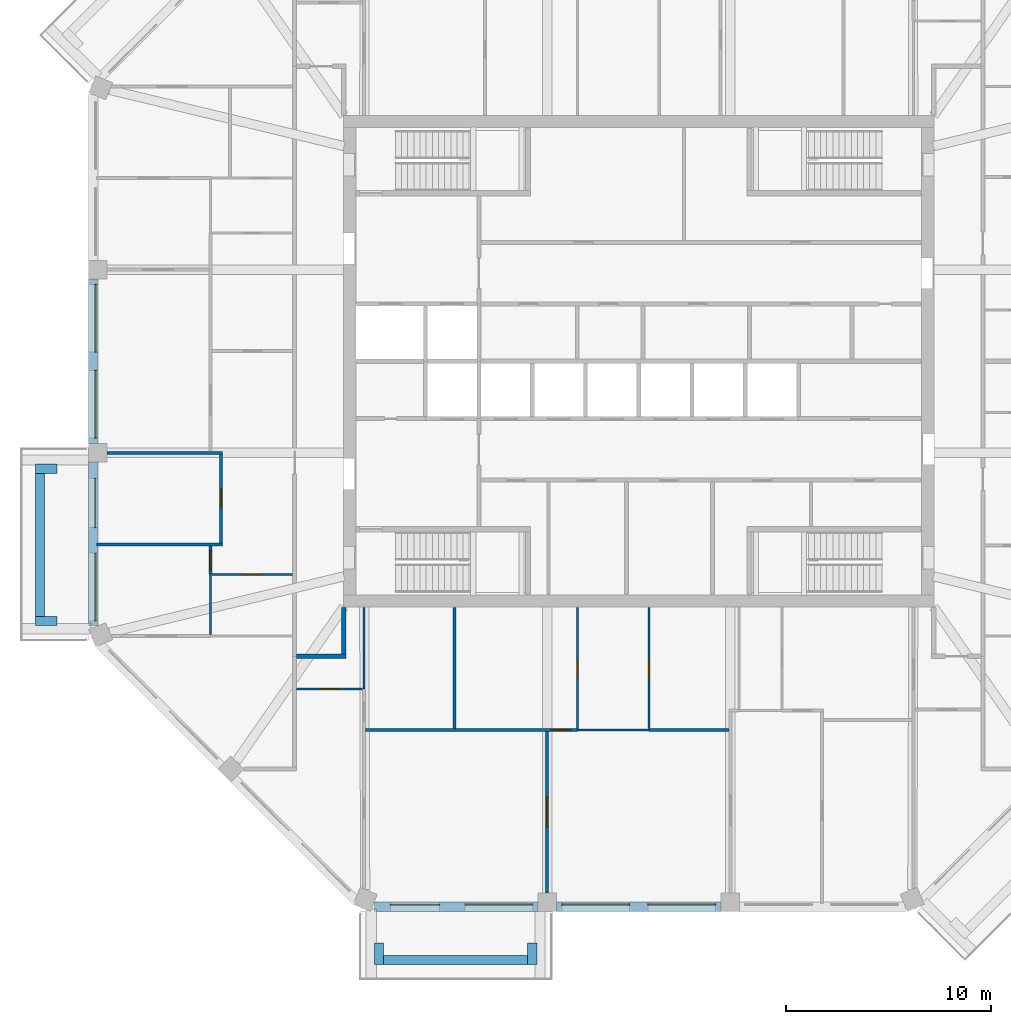
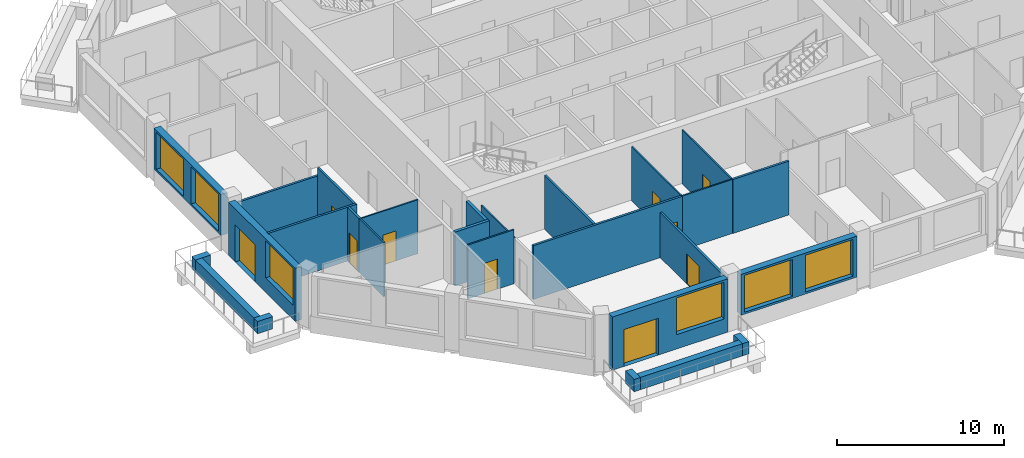
# One storey, part 3 of 11: 27 walls, 10 doors, 6 windows, 16 openings.
"""IFC4 building model written with IfcOpenShell, lengths in metres."""

from ifc_helpers import new_model, si_unit, direction, frame, frame_2d, origin, place, context, subcontext, project, spatial, rectangle, extrude, material, layer, layer_set, type_object, element, fill, save


model = new_model("IFC4")

# Units and contexts
model_context = context("Model", 3, precision=1e-05, world=origin(), true_north=direction((0.0, 1.0)))
body_context = subcontext(model_context, "Body", "Model", "MODEL_VIEW")
ifc_project = project(units=[si_unit("LENGTHUNIT", "METRE"), si_unit("AREAUNIT", "SQUARE_METRE"), si_unit("VOLUMEUNIT", "CUBIC_METRE"), si_unit("PLANEANGLEUNIT", "RADIAN"), si_unit("MASSUNIT", "GRAM", prefix="KILO")], contexts=[model_context])

# Site, building, storey
site_placement = place(None, origin())
site = spatial("IfcSite", under=ifc_project, at=site_placement, CompositionType="ELEMENT")
building_placement = place(site_placement, origin())
building = spatial("IfcBuilding", under=site, at=building_placement, Name="Msitu Wima Residences", CompositionType="ELEMENT")
storey_placement = place(building_placement, frame((0.0, 0.0, 260.10009765625)))
storey = spatial("IfcBuildingStorey", under=building, at=storey_placement, Name="L60", CompositionType="ELEMENT", Elevation=260.10009765625)

# Walls
ifc_material_1 = material(Name="Facing brick")
ifc_layer_1 = layer(ifc_material_1, 0.06494140625, Name="Facing brick")
ifc_material_2 = material(Name="Concrete C40/50", Category="concrete")
ifc_layer_2 = layer(ifc_material_2, 0.156005859375, Name="Concrete C40/50")
ifc_material_3 = material(Name="Waterproofing membrane")
ifc_layer_3 = layer(ifc_material_3, 0.00390625, Name="Waterproofing membrane")
ifc_material_4 = material(Name="Planting soil and planting")
ifc_layer_4 = layer(ifc_material_4, 0.22509765625, Name="Planting soil and planting")
ifc_layer_set_1 = layer_set([ifc_layer_1, ifc_layer_2, ifc_layer_3, ifc_layer_4], Name="Concrete C40/50")
wall_type_1 = type_object("IfcWallType", Name="Balcony planter PLANTER PL450", PredefinedType="USERDEFINED", material=ifc_layer_set_1)
wall_1_placement = place(storey_placement, frame((-29.22509765625, -5.468505859375, 0.0), z_axis=(0.0, 0.0, 1.0), x_axis=(0.0, -1.0, 0.0)))
element("IfcWall", 1, at=wall_1_placement, inside=storey, type_object=wall_type_1, Name="Balcony planter W2 L60", ObjectType="PLANTER", PredefinedType="USERDEFINED", context=body_context, shape_type="SweptSolid", body=[
    extrude(rectangle(XDim=6.9873046875, YDim=0.449951171875, at=frame_2d((3.49365234375, 0.0))), origin(), (0.0, 0.0, 1.0), 0.89990234375),
])
for number, where, z_axis, x_axis, name in (
    (2, (-28.39990234375, -5.24365234375, 0.0), (0.0, 0.0, 1.0), (-1.0, 0.0, 0.0), "Balcony planter W2 L60"),
    (3, (-28.39990234375, -12.680908203125, 0.0), (0.0, 0.0, 1.0), (-1.0, 0.0, 0.0), "Balcony planter W2 L60"),
):
    element("IfcWall", number, at=place(storey_placement, frame(where, z_axis=z_axis, x_axis=x_axis)), inside=storey, type_object=wall_type_1, Name=name, ObjectType="PLANTER", PredefinedType="USERDEFINED", context=body_context, shape_type="SweptSolid", body=[
        extrude(rectangle(XDim=1.050048828125, YDim=0.449951171875, at=frame_2d((0.52490234375, 0.0))), origin(), (0.0, 0.0, 1.0), 0.89990234375),
    ])
wall_2_placement = place(storey_placement, frame((-12.455810546875, -29.22509765625, 0.0), z_axis=(0.0, 0.0, 1.0), x_axis=(1.0, 0.0, 0.0)))
element("IfcWall", 4, at=wall_2_placement, inside=storey, type_object=wall_type_1, Name="Balcony planter S0 L60", ObjectType="PLANTER", PredefinedType="USERDEFINED", context=body_context, shape_type="SweptSolid", body=[
    extrude(rectangle(XDim=7.037109375, YDim=0.449951171875, at=frame_2d((3.5185546875, 0.0))), origin(), (0.0, 0.0, 1.0), 0.89990234375),
])
for number, where, z_axis, x_axis, name in (
    (5, (-12.680908203125, -28.39990234375, 0.0), (0.0, 0.0, 1.0), (0.0, -1.0, 0.0), "Balcony planter S0 L60"),
    (6, (-5.193603515625, -28.39990234375, 0.0), (0.0, 0.0, 1.0), (0.0, -1.0, 0.0), "Balcony planter S0 L60"),
):
    element("IfcWall", number, at=place(storey_placement, frame(where, z_axis=z_axis, x_axis=x_axis)), inside=storey, type_object=wall_type_1, Name=name, ObjectType="PLANTER", PredefinedType="USERDEFINED", context=body_context, shape_type="SweptSolid", body=[
        extrude(rectangle(XDim=1.050048828125, YDim=0.449951171875, at=frame_2d((0.52490234375, 0.0))), origin(), (0.0, 0.0, 1.0), 0.89990234375),
    ])

# Wall, openings, windows
ifc_material_5 = material(Name="Brick (red buff mix)", Category="masonry")
ifc_layer_5 = layer(ifc_material_5, 0.449951171875)
ifc_layer_set_2 = layer_set([ifc_layer_5], Name="Brick (red buff mix)")
wall_type_2 = type_object("IfcWallType", Name="Brick infill wall BW450", PredefinedType="SOLIDWALL", material=ifc_layer_set_2)
wall_3_placement = place(storey_placement, frame((-26.625, 4.0185546875, 0.89990234375), z_axis=(0.0, 0.0, 1.0), x_axis=(0.0, -1.0, 0.0)))
wall_3 = element("IfcWall", 7, at=wall_3_placement, inside=storey, type_object=wall_type_2, Name="Brick infill wall L60 W1", PredefinedType="SOLIDWALL", context=body_context, shape_type="SweptSolid", body=[
    extrude(rectangle(XDim=8.037109375, YDim=0.449951171875, at=frame_2d((4.0185546875, 0.0))), origin(), (0.0, 0.0, 1.0), 3.0),
])
opening_1_placement = place(wall_3_placement, frame((0.2685546875, 0.0, 0.14990234375)))
opening_1 = element("IfcOpeningElement", 8, at=opening_1_placement, cuts=wall_3, Name="Opening W60-62.031", PredefinedType="OPENING", context=body_context, shape_type="SweptSolid", body=[
    extrude(rectangle(XDim=3.300048828125, YDim=2.699951171875, at=frame_2d((1.64990234375, 1.35009765625))), frame((0.0, 0.23486328125, 0.0), z_axis=(0.0, -1.0, 0.0), x_axis=(1.0, 0.0, 0.0)), (0.0, 0.0, 1.0), 0.469970703125),
])
opening_2_placement = place(wall_3_placement, frame((4.46875, 0.0, 0.14990234375)))
opening_2 = element("IfcOpeningElement", 9, at=opening_2_placement, cuts=wall_3, Name="Opening W60-62.032", PredefinedType="OPENING", context=body_context, shape_type="SweptSolid", body=[
    extrude(rectangle(XDim=3.300048828125, YDim=2.699951171875, at=frame_2d((1.64990234375, 1.35009765625))), frame((0.0, 0.23486328125, 0.0), z_axis=(0.0, -1.0, 0.0), x_axis=(1.0, 0.0, 0.0)), (0.0, 0.0, 1.0), 0.469970703125),
])
ifc_material_6 = material(Name="Anodised aluminium, bronze finish, clear low-emissivity double glazing", Category="aluminium")
window_type = type_object("IfcWindowType", Name="Window W3300x2700", PartitioningType="DOUBLE_PANEL_VERTICAL", PredefinedType="WINDOW", material=ifc_material_6)
window_1_placement = place(opening_1_placement, origin())
window_1 = element("IfcWindow", 10, at=window_1_placement, inside=storey, type_object=window_type, Name="Window L60 W1.1", OverallHeight=2.699951171875, OverallWidth=3.300048828125, PartitioningType="SINGLE_PANEL", PredefinedType="WINDOW", context=body_context, shape_type="SweptSolid", body=[
    extrude(rectangle(XDim=3.300048828125, YDim=2.699951171875, at=frame_2d((1.64990234375, 1.35009765625))), frame((0.0, 0.135009765625, 0.0), z_axis=(0.0, -1.0, 0.0), x_axis=(1.0, 0.0, 0.0)), (0.0, 0.0, 1.0), 0.06005859375),
])
fill(opening_1, window_1)
window_2_placement = place(opening_2_placement, origin())
window_2 = element("IfcWindow", 11, at=window_2_placement, inside=storey, type_object=window_type, Name="Window L60 W1.2", OverallHeight=2.699951171875, OverallWidth=3.300048828125, PartitioningType="SINGLE_PANEL", PredefinedType="WINDOW", context=body_context, shape_type="SweptSolid", body=[
    extrude(rectangle(XDim=3.300048828125, YDim=2.699951171875, at=frame_2d((1.64990234375, 1.35009765625))), frame((0.0, 0.135009765625, 0.0), z_axis=(0.0, -1.0, 0.0), x_axis=(1.0, 0.0, 0.0)), (0.0, 0.0, 1.0), 0.06005859375),
])
fill(opening_2, window_2)

# Wall, openings, door, window
wall_4_placement = place(storey_placement, frame((-26.625, -4.918701171875, 0.0), z_axis=(0.0, 0.0, 1.0), x_axis=(0.0, -1.0, 0.0)))
wall_4 = element("IfcWall", 12, at=wall_4_placement, inside=storey, type_object=wall_type_2, Name="Brick infill wall L60 W2", PredefinedType="SOLIDWALL", context=body_context, shape_type="SweptSolid", body=[
    extrude(rectangle(XDim=8.0, YDim=0.449951171875, at=frame_2d((4.0, 0.0))), origin(), (0.0, 0.0, 1.0), 3.89990234375),
])
opening_3_placement = place(wall_4_placement, frame((0.800048828125, 0.0, 0.0)))
opening_3 = element("IfcOpeningElement", 13, at=opening_3_placement, cuts=wall_4, Name="Opening D60-62.007", PredefinedType="OPENING", context=body_context, shape_type="SweptSolid", body=[
    extrude(rectangle(XDim=2.39990234375, YDim=2.699951171875, at=frame_2d((1.199951171875, 1.35009765625))), frame((0.0, 0.23486328125, 0.0), z_axis=(0.0, -1.0, 0.0), x_axis=(1.0, 0.0, 0.0)), (0.0, 0.0, 1.0), 0.469970703125),
])
opening_4_placement = place(wall_4_placement, frame((4.4501953125, 0.0, 1.050048828125)))
opening_4 = element("IfcOpeningElement", 14, at=opening_4_placement, cuts=wall_4, Name="Opening W60-62.033", PredefinedType="OPENING", context=body_context, shape_type="SweptSolid", body=[
    extrude(rectangle(XDim=3.300048828125, YDim=2.699951171875, at=frame_2d((1.64990234375, 1.35009765625))), frame((0.0, 0.23486328125, 0.0), z_axis=(0.0, -1.0, 0.0), x_axis=(1.0, 0.0, 0.0)), (0.0, 0.0, 1.0), 0.469970703125),
])
door_type_1 = type_object("IfcDoorType", Name="Balcony door D2400x2700", OperationType="SLIDING_TO_LEFT", PredefinedType="DOOR", material=ifc_material_6)
door_1_placement = place(opening_3_placement, origin())
door_1 = element("IfcDoor", 15, at=door_1_placement, inside=storey, type_object=door_type_1, Name="Balcony door L60 W2", OperationType="SINGLE_SWING_LEFT", OverallHeight=2.699951171875, OverallWidth=2.39990234375, PredefinedType="DOOR", context=body_context, shape_type="SweptSolid", body=[
    extrude(rectangle(XDim=2.39990234375, YDim=2.699951171875, at=frame_2d((1.199951171875, 1.35009765625))), frame((0.0, 0.1298828125, 0.0), z_axis=(0.0, -1.0, 0.0), x_axis=(1.0, 0.0, 0.0)), (0.0, 0.0, 1.0), 0.050048828125),
])
fill(opening_3, door_1)
window_3_placement = place(opening_4_placement, origin())
window_3 = element("IfcWindow", 16, at=window_3_placement, inside=storey, type_object=window_type, Name="Window L60 W2.2", OverallHeight=2.699951171875, OverallWidth=3.300048828125, PartitioningType="SINGLE_PANEL", PredefinedType="WINDOW", context=body_context, shape_type="SweptSolid", body=[
    extrude(rectangle(XDim=3.300048828125, YDim=2.699951171875, at=frame_2d((1.64990234375, 1.35009765625))), frame((0.0, 0.135009765625, 0.0), z_axis=(0.0, -1.0, 0.0), x_axis=(1.0, 0.0, 0.0)), (0.0, 0.0, 1.0), 0.06005859375),
])
fill(opening_4, window_3)

wall_5_placement = place(storey_placement, frame((-12.918701171875, -26.625, 0.0), z_axis=(0.0, 0.0, 1.0), x_axis=(1.0, 0.0, 0.0)))
wall_5 = element("IfcWall", 17, at=wall_5_placement, inside=storey, type_object=wall_type_2, Name="Brick infill wall L60 S0", PredefinedType="SOLIDWALL", context=body_context, shape_type="SweptSolid", body=[
    extrude(rectangle(XDim=8.0, YDim=0.449951171875, at=frame_2d((4.0, 0.0))), origin(), (0.0, 0.0, 1.0), 3.89990234375),
])
opening_5_placement = place(wall_5_placement, frame((0.800048828125, 0.0, 0.0)))
opening_5 = element("IfcOpeningElement", 18, at=opening_5_placement, cuts=wall_5, Name="Opening D60-62.005", PredefinedType="OPENING", context=body_context, shape_type="SweptSolid", body=[
    extrude(rectangle(XDim=2.39990234375, YDim=2.699951171875, at=frame_2d((1.199951171875, 1.35009765625))), frame((0.0, 0.23486328125, 0.0), z_axis=(0.0, -1.0, 0.0), x_axis=(1.0, 0.0, 0.0)), (0.0, 0.0, 1.0), 0.469970703125),
])
opening_6_placement = place(wall_5_placement, frame((4.4501953125, 0.0, 1.050048828125)))
opening_6 = element("IfcOpeningElement", 19, at=opening_6_placement, cuts=wall_5, Name="Opening W60-62.017", PredefinedType="OPENING", context=body_context, shape_type="SweptSolid", body=[
    extrude(rectangle(XDim=3.300048828125, YDim=2.699951171875, at=frame_2d((1.64990234375, 1.35009765625))), frame((0.0, 0.23486328125, 0.0), z_axis=(0.0, -1.0, 0.0), x_axis=(1.0, 0.0, 0.0)), (0.0, 0.0, 1.0), 0.469970703125),
])
door_2_placement = place(opening_5_placement, origin())
door_2 = element("IfcDoor", 20, at=door_2_placement, inside=storey, type_object=door_type_1, Name="Balcony door L60 S0", OperationType="SINGLE_SWING_LEFT", OverallHeight=2.699951171875, OverallWidth=2.39990234375, PredefinedType="DOOR", context=body_context, shape_type="SweptSolid", body=[
    extrude(rectangle(XDim=2.39990234375, YDim=2.699951171875, at=frame_2d((1.199951171875, 1.35009765625))), frame((0.0, 0.1298828125, 0.0), z_axis=(0.0, -1.0, 0.0), x_axis=(1.0, 0.0, 0.0)), (0.0, 0.0, 1.0), 0.050048828125),
])
fill(opening_5, door_2)
window_4_placement = place(opening_6_placement, origin())
window_4 = element("IfcWindow", 21, at=window_4_placement, inside=storey, type_object=window_type, Name="Window L60 S0.2", OverallHeight=2.699951171875, OverallWidth=3.300048828125, PartitioningType="SINGLE_PANEL", PredefinedType="WINDOW", context=body_context, shape_type="SweptSolid", body=[
    extrude(rectangle(XDim=3.300048828125, YDim=2.699951171875, at=frame_2d((1.64990234375, 1.35009765625))), frame((0.0, 0.135009765625, 0.0), z_axis=(0.0, -1.0, 0.0), x_axis=(1.0, 0.0, 0.0)), (0.0, 0.0, 1.0), 0.06005859375),
])
fill(opening_6, window_4)

# Wall, openings, windows
wall_6_placement = place(storey_placement, frame((-4.0185546875, -26.625, 0.89990234375), z_axis=(0.0, 0.0, 1.0), x_axis=(1.0, 0.0, 0.0)))
wall_6 = element("IfcWall", 22, at=wall_6_placement, inside=storey, type_object=wall_type_2, Name="Brick infill wall L60 S1", PredefinedType="SOLIDWALL", context=body_context, shape_type="SweptSolid", body=[
    extrude(rectangle(XDim=8.037109375, YDim=0.449951171875, at=frame_2d((4.0185546875, 0.0))), origin(), (0.0, 0.0, 1.0), 3.0),
])
opening_7_placement = place(wall_6_placement, frame((0.2685546875, 0.0, 0.14990234375)))
opening_7 = element("IfcOpeningElement", 23, at=opening_7_placement, cuts=wall_6, Name="Opening W60-62.018", PredefinedType="OPENING", context=body_context, shape_type="SweptSolid", body=[
    extrude(rectangle(XDim=3.300048828125, YDim=2.699951171875, at=frame_2d((1.64990234375, 1.35009765625))), frame((0.0, 0.23486328125, 0.0), z_axis=(0.0, -1.0, 0.0), x_axis=(1.0, 0.0, 0.0)), (0.0, 0.0, 1.0), 0.469970703125),
])
opening_8_placement = place(wall_6_placement, frame((4.46875, 0.0, 0.14990234375)))
opening_8 = element("IfcOpeningElement", 24, at=opening_8_placement, cuts=wall_6, Name="Opening W60-62.019", PredefinedType="OPENING", context=body_context, shape_type="SweptSolid", body=[
    extrude(rectangle(XDim=3.300048828125, YDim=2.699951171875, at=frame_2d((1.64990234375, 1.35009765625))), frame((0.0, 0.23486328125, 0.0), z_axis=(0.0, -1.0, 0.0), x_axis=(1.0, 0.0, 0.0)), (0.0, 0.0, 1.0), 0.469970703125),
])
window_5_placement = place(opening_7_placement, origin())
window_5 = element("IfcWindow", 25, at=window_5_placement, inside=storey, type_object=window_type, Name="Window L60 S1.1", OverallHeight=2.699951171875, OverallWidth=3.300048828125, PartitioningType="SINGLE_PANEL", PredefinedType="WINDOW", context=body_context, shape_type="SweptSolid", body=[
    extrude(rectangle(XDim=3.300048828125, YDim=2.699951171875, at=frame_2d((1.64990234375, 1.35009765625))), frame((0.0, 0.135009765625, 0.0), z_axis=(0.0, -1.0, 0.0), x_axis=(1.0, 0.0, 0.0)), (0.0, 0.0, 1.0), 0.06005859375),
])
fill(opening_7, window_5)
window_6_placement = place(opening_8_placement, origin())
window_6 = element("IfcWindow", 26, at=window_6_placement, inside=storey, type_object=window_type, Name="Window L60 S1.2", OverallHeight=2.699951171875, OverallWidth=3.300048828125, PartitioningType="SINGLE_PANEL", PredefinedType="WINDOW", context=body_context, shape_type="SweptSolid", body=[
    extrude(rectangle(XDim=3.300048828125, YDim=2.699951171875, at=frame_2d((1.64990234375, 1.35009765625))), frame((0.0, 0.135009765625, 0.0), z_axis=(0.0, -1.0, 0.0), x_axis=(1.0, 0.0, 0.0)), (0.0, 0.0, 1.0), 0.06005859375),
])
fill(opening_8, window_6)

# Walls
ifc_material_7 = material(Name="Plaster")
ifc_layer_6 = layer(ifc_material_7, 0.011962890625, Name="Plaster")
ifc_material_8 = material(Name="Concrete blockwork", Category="masonry")
ifc_layer_7 = layer(ifc_material_8, 0.176025390625, Name="Concrete blockwork")
ifc_layer_8 = layer(ifc_material_7, 0.011962890625, Name="Plaster")
ifc_layer_set_3 = layer_set([ifc_layer_6, ifc_layer_7, ifc_layer_8], Name="Concrete blockwork")
wall_type_3 = type_object("IfcWallType", Name="Corridor wall FW200", PredefinedType="PARTITIONING", material=ifc_layer_set_3)
wall_7_placement = place(storey_placement, frame((-16.699951171875, -14.39990234375, 0.0), z_axis=(0.0, 0.0, 1.0), x_axis=(1.0, 0.0, 0.0)))
element("IfcWall", 27, at=wall_7_placement, inside=storey, type_object=wall_type_3, Name="Corridor wall", PredefinedType="PARTITIONING", context=body_context, shape_type="SweptSolid", body=[
    extrude(rectangle(XDim=2.39990234375, YDim=0.199951171875, at=frame_2d((1.199951171875, 0.0))), origin(), (0.0, 0.0, 1.0), 3.949951171875),
])
wall_8_placement = place(storey_placement, frame((-14.39990234375, -14.300048828125, 0.0), z_axis=(0.0, 0.0, 1.0), x_axis=(0.0, 1.0, 0.0)))
element("IfcWall", 28, at=wall_8_placement, inside=storey, type_object=wall_type_3, Name="Corridor wall", PredefinedType="PARTITIONING", context=body_context, shape_type="SweptSolid", body=[
    extrude(rectangle(XDim=2.27001953125, YDim=0.199951171875, at=frame_2d((1.135009765625, 0.0))), origin(), (0.0, 0.0, 1.0), 3.949951171875),
])
ifc_layer_9 = layer(ifc_material_7, 0.011962890625, Name="Plaster")
ifc_layer_10 = layer(ifc_material_8, 0.1259765625, Name="Concrete blockwork")
ifc_layer_11 = layer(ifc_material_7, 0.011962890625, Name="Plaster")
ifc_layer_set_4 = layer_set([ifc_layer_9, ifc_layer_10, ifc_layer_11], Name="Concrete blockwork")
wall_type_4 = type_object("IfcWallType", Name="Partition PW150", PredefinedType="PARTITIONING", material=ifc_layer_set_4)
wall_9_placement = place(storey_placement, frame((-26.455078125, -8.937255859375, 0.0), z_axis=(0.0, 0.0, 1.0), x_axis=(1.0, 0.0, 0.0)))
element("IfcWall", 29, at=wall_9_placement, inside=storey, type_object=wall_type_4, Name="Partition", PredefinedType="PARTITIONING", context=body_context, shape_type="SweptSolid", body=[
    extrude(rectangle(XDim=6.130126953125, YDim=0.14990234375, at=frame_2d((3.06494140625, 0.0))), origin(), (0.0, 0.0, 1.0), 3.949951171875),
])
wall_10_placement = place(storey_placement, frame((-25.949951171875, -4.46875, 0.0), z_axis=(0.0, 0.0, 1.0), x_axis=(1.0, 0.0, 0.0)))
element("IfcWall", 30, at=wall_10_placement, inside=storey, type_object=wall_type_4, Name="Partition", PredefinedType="PARTITIONING", context=body_context, shape_type="SweptSolid", body=[
    extrude(rectangle(XDim=5.625, YDim=0.14990234375, at=frame_2d((2.8125, 0.0))), origin(), (0.0, 0.0, 1.0), 3.349853515625),
])

# Wall, opening, door
wall_11_placement = place(storey_placement, frame((-20.89990234375, -10.3798828125, 0.0), z_axis=(0.0, 0.0, 1.0), x_axis=(0.0, 1.0, 0.0)))
wall_11 = element("IfcWall", 31, at=wall_11_placement, inside=storey, type_object=wall_type_4, Name="Partition", PredefinedType="PARTITIONING", context=body_context, shape_type="SweptSolid", body=[
    extrude(rectangle(XDim=1.36767578125, YDim=0.14990234375, at=frame_2d((0.683837890625, 0.0))), origin(), (0.0, 0.0, 1.0), 3.949951171875),
])
opening_9_placement = place(wall_11_placement, frame((0.199951171875, 0.0, 0.0)))
opening_9 = element("IfcOpeningElement", 32, at=opening_9_placement, cuts=wall_11, Name="Opening D60-62.046", PredefinedType="OPENING", context=body_context, shape_type="SweptSolid", body=[
    extrude(rectangle(XDim=0.949951171875, YDim=2.199951171875, at=frame_2d((0.47509765625, 1.10009765625))), frame((0.0, 0.0849609375, 0.0), z_axis=(0.0, -1.0, 0.0), x_axis=(1.0, 0.0, 0.0)), (0.0, 0.0, 1.0), 0.169921875),
])
ifc_material_9 = material(Name="Timber flush door", Category="wood")
door_type_2 = type_object("IfcDoorType", Name="Room door D12 950x2200", OperationType="SINGLE_SWING_LEFT", PredefinedType="DOOR", material=ifc_material_9)
door_3_placement = place(opening_9_placement, origin())
door_3 = element("IfcDoor", 33, at=door_3_placement, inside=storey, type_object=door_type_2, Name="Room door", OperationType="SINGLE_SWING_RIGHT", OverallHeight=2.199951171875, OverallWidth=0.949951171875, PredefinedType="DOOR", context=body_context, shape_type="SweptSolid", body=[
    extrude(rectangle(XDim=0.949951171875, YDim=2.199951171875, at=frame_2d((0.47509765625, 1.10009765625))), frame((0.0, 0.02490234375, 0.0), z_axis=(0.0, -1.0, 0.0), x_axis=(1.0, 0.0, 0.0)), (0.0, 0.0, 1.0), 0.050048828125),
])
fill(opening_9, door_3)

wall_12_placement = place(storey_placement, frame((-20.39990234375, -8.8623046875, 0.0), z_axis=(0.0, 0.0, 1.0), x_axis=(0.0, 1.0, 0.0)))
wall_12 = element("IfcWall", 34, at=wall_12_placement, inside=storey, type_object=wall_type_4, Name="Partition", PredefinedType="PARTITIONING", context=body_context, shape_type="SweptSolid", body=[
    extrude(rectangle(XDim=4.318603515625, YDim=0.14990234375, at=frame_2d((2.1591796875, 0.0))), origin(), (0.0, 0.0, 1.0), 3.949951171875),
])
opening_10_placement = place(wall_12_placement, frame((1.699951171875, 0.0, 0.0)))
opening_10 = element("IfcOpeningElement", 35, at=opening_10_placement, cuts=wall_12, Name="Opening D60-62.045", PredefinedType="OPENING", context=body_context, shape_type="SweptSolid", body=[
    extrude(rectangle(XDim=0.949951171875, YDim=2.199951171875, at=frame_2d((0.47509765625, 1.10009765625))), frame((0.0, 0.0849609375, 0.0), z_axis=(0.0, -1.0, 0.0), x_axis=(1.0, 0.0, 0.0)), (0.0, 0.0, 1.0), 0.169921875),
])
door_4_placement = place(opening_10_placement, origin())
door_4 = element("IfcDoor", 36, at=door_4_placement, inside=storey, type_object=door_type_2, Name="Room door", OperationType="SINGLE_SWING_RIGHT", OverallHeight=2.199951171875, OverallWidth=0.949951171875, PredefinedType="DOOR", context=body_context, shape_type="SweptSolid", body=[
    extrude(rectangle(XDim=0.949951171875, YDim=2.199951171875, at=frame_2d((0.47509765625, 1.10009765625))), frame((0.0, 0.02490234375, 0.0), z_axis=(0.0, -1.0, 0.0), x_axis=(1.0, 0.0, 0.0)), (0.0, 0.0, 1.0), 0.050048828125),
])
fill(opening_10, door_4)

wall_13_placement = place(storey_placement, frame((-13.330810546875, -18.0, 0.0), z_axis=(0.0, 0.0, 1.0), x_axis=(1.0, 0.0, 0.0)))
wall_13 = element("IfcWall", 37, at=wall_13_placement, inside=storey, type_object=wall_type_4, Name="Partition", PredefinedType="PARTITIONING", context=body_context, shape_type="SweptSolid", body=[
    extrude(rectangle(XDim=10.330810546875, YDim=0.14990234375, at=frame_2d((5.16552734375, 0.0))), origin(), (0.0, 0.0, 1.0), 3.949951171875),
])
opening_11_placement = place(wall_13_placement, frame((9.050048828125, 0.0, 0.0)))
opening_11 = element("IfcOpeningElement", 38, at=opening_11_placement, cuts=wall_13, Name="Opening D60-62.062", PredefinedType="OPENING", context=body_context, shape_type="SweptSolid", body=[
    extrude(rectangle(XDim=0.949951171875, YDim=2.199951171875, at=frame_2d((0.47509765625, 1.10009765625))), frame((0.0, 0.0849609375, 0.0), z_axis=(0.0, -1.0, 0.0), x_axis=(1.0, 0.0, 0.0)), (0.0, 0.0, 1.0), 0.169921875),
])
door_5_placement = place(opening_11_placement, origin())
door_5 = element("IfcDoor", 39, at=door_5_placement, inside=storey, type_object=door_type_2, Name="Room door", OperationType="SINGLE_SWING_RIGHT", OverallHeight=2.199951171875, OverallWidth=0.949951171875, PredefinedType="DOOR", context=body_context, shape_type="SweptSolid", body=[
    extrude(rectangle(XDim=0.949951171875, YDim=2.199951171875, at=frame_2d((0.47509765625, 1.10009765625))), frame((0.0, 0.02490234375, 0.0), z_axis=(0.0, -1.0, 0.0), x_axis=(1.0, 0.0, 0.0)), (0.0, 0.0, 1.0), 0.050048828125),
])
fill(opening_11, door_5)

# Wall
wall_14_placement = place(storey_placement, frame((-9.0, -17.925048828125, 0.0), z_axis=(0.0, 0.0, 1.0), x_axis=(0.0, 1.0, 0.0)))
element("IfcWall", 40, at=wall_14_placement, inside=storey, type_object=wall_type_4, Name="Partition", PredefinedType="PARTITIONING", context=body_context, shape_type="SweptSolid", body=[
    extrude(rectangle(XDim=5.89501953125, YDim=0.14990234375, at=frame_2d((2.947509765625, 0.0))), origin(), (0.0, 0.0, 1.0), 3.949951171875),
])

# Wall, opening, door
wall_15_placement = place(storey_placement, frame((-4.46875, -25.949951171875, 0.0), z_axis=(0.0, 0.0, 1.0), x_axis=(0.0, 1.0, 0.0)))
wall_15 = element("IfcWall", 41, at=wall_15_placement, inside=storey, type_object=wall_type_4, Name="Partition", PredefinedType="PARTITIONING", context=body_context, shape_type="SweptSolid", body=[
    extrude(rectangle(XDim=7.875, YDim=0.14990234375, at=frame_2d((3.9375, 0.0))), origin(), (0.0, 0.0, 1.0), 3.2998046875),
])
opening_12_placement = place(wall_15_placement, frame((3.199951171875, 0.0, 0.0)))
opening_12 = element("IfcOpeningElement", 42, at=opening_12_placement, cuts=wall_15, Name="Opening D60-62.053", PredefinedType="OPENING", context=body_context, shape_type="SweptSolid", body=[
    extrude(rectangle(XDim=1.5, YDim=2.199951171875, at=frame_2d((0.75, 1.10009765625))), frame((0.0, 0.0849609375, 0.0), z_axis=(0.0, -1.0, 0.0), x_axis=(1.0, 0.0, 0.0)), (0.0, 0.0, 1.0), 0.169921875),
])
ifc_material_10 = material(Name="Timber double door", Category="wood")
door_type_3 = type_object("IfcDoorType", Name="Double door D04 1500x2200", OperationType="DOUBLE_DOOR_SINGLE_SWING", PredefinedType="DOOR", material=ifc_material_10)
door_6_placement = place(opening_12_placement, origin())
door_6 = element("IfcDoor", 43, at=door_6_placement, inside=storey, type_object=door_type_3, Name="Double door", OperationType="DOUBLE_DOOR_SINGLE_SWING", OverallHeight=2.199951171875, OverallWidth=1.5, PredefinedType="DOOR", context=body_context, shape_type="SweptSolid", body=[
    extrude(rectangle(XDim=1.5, YDim=2.199951171875, at=frame_2d((0.75, 1.10009765625))), frame((0.0, 0.02490234375, 0.0), z_axis=(0.0, -1.0, 0.0), x_axis=(1.0, 0.0, 0.0)), (0.0, 0.0, 1.0), 0.050048828125),
])
fill(opening_12, door_6)

# Walls
wall_16_placement = place(storey_placement, frame((0.5, -18.0, 0.0), z_axis=(0.0, 0.0, 1.0), x_axis=(1.0, 0.0, 0.0)))
element("IfcWall", 44, at=wall_16_placement, inside=storey, type_object=wall_type_4, Name="Partition", PredefinedType="PARTITIONING", context=body_context, shape_type="SweptSolid", body=[
    extrude(rectangle(XDim=3.8935546875, YDim=0.14990234375, at=frame_2d((1.94677734375, 0.0))), origin(), (0.0, 0.0, 1.0), 3.949951171875),
])
ifc_material_11 = material(Name="Ceramic tiles")
ifc_layer_12 = layer(ifc_material_11, 0.008056640625, Name="Ceramic tiles")
ifc_material_12 = material(Name="Moisture-resistant board")
ifc_layer_13 = layer(ifc_material_12, 0.012451171875, Name="Moisture-resistant board")
ifc_material_13 = material(Name="Light-gauge stud framing with mineral wool")
ifc_layer_14 = layer(ifc_material_13, 0.06689453125, Name="Light-gauge stud framing with mineral wool")
ifc_layer_15 = layer(ifc_material_12, 0.012451171875, Name="Moisture-resistant board")
ifc_layer_set_5 = layer_set([ifc_layer_12, ifc_layer_13, ifc_layer_14, ifc_layer_15], Name="Light-gauge stud framing with mineral wool")
wall_type_5 = type_object("IfcWallType", Name="Wet wall PW100", PredefinedType="PARTITIONING", material=ifc_layer_set_5)
wall_17_placement = place(storey_placement, frame((-20.89990234375, -13.330810546875, 0.0), z_axis=(0.0, 0.0, 1.0), x_axis=(0.0, 1.0, 0.0)))
element("IfcWall", 45, at=wall_17_placement, inside=storey, type_object=wall_type_5, Name="Wet wall", PredefinedType="PARTITIONING", context=body_context, shape_type="SweptSolid", body=[
    extrude(rectangle(XDim=2.950927734375, YDim=0.10009765625, at=frame_2d((1.4755859375, 0.0))), origin(), (0.0, 0.0, 1.0), 3.949951171875),
])

# Wall, opening, door
wall_18_placement = place(storey_placement, frame((-20.824951171875, -10.39990234375, 0.0), z_axis=(0.0, 0.0, 1.0), x_axis=(1.0, 0.0, 0.0)))
wall_18 = element("IfcWall", 46, at=wall_18_placement, inside=storey, type_object=wall_type_5, Name="Wet wall", PredefinedType="PARTITIONING", context=body_context, shape_type="SweptSolid", body=[
    extrude(rectangle(XDim=3.925048828125, YDim=0.10009765625, at=frame_2d((1.96240234375, 0.0))), origin(), (0.0, 0.0, 1.0), 3.949951171875),
])
opening_13_placement = place(wall_18_placement, frame((1.5, 0.0, 0.0)))
opening_13 = element("IfcOpeningElement", 47, at=opening_13_placement, cuts=wall_18, Name="Opening D60-62.043", PredefinedType="OPENING", context=body_context, shape_type="SweptSolid", body=[
    extrude(rectangle(XDim=0.89990234375, YDim=2.199951171875, at=frame_2d((0.449951171875, 1.10009765625))), frame((0.0, 0.06005859375, 0.0), z_axis=(0.0, -1.0, 0.0), x_axis=(1.0, 0.0, 0.0)), (0.0, 0.0, 1.0), 0.1201171875),
])
ifc_material_14 = material(Name="Timber flush door, moisture resistant", Category="wood")
door_type_4 = type_object("IfcDoorType", Name="Bathroom door D03 900x2200", OperationType="SINGLE_SWING_LEFT", PredefinedType="DOOR", material=ifc_material_14)
door_7_placement = place(opening_13_placement, origin())
door_7 = element("IfcDoor", 48, at=door_7_placement, inside=storey, type_object=door_type_4, Name="Bathroom door", OperationType="SINGLE_SWING_RIGHT", OverallHeight=2.199951171875, OverallWidth=0.89990234375, PredefinedType="DOOR", context=body_context, shape_type="SweptSolid", body=[
    extrude(rectangle(XDim=0.89990234375, YDim=2.199951171875, at=frame_2d((0.449951171875, 1.10009765625))), frame((0.0, 0.02490234375, 0.0), z_axis=(0.0, -1.0, 0.0), x_axis=(1.0, 0.0, 0.0)), (0.0, 0.0, 1.0), 0.050048828125),
])
fill(opening_13, door_7)

wall_19_placement = place(storey_placement, frame((-16.699951171875, -16.0, 0.0), z_axis=(0.0, 0.0, 1.0), x_axis=(1.0, 0.0, 0.0)))
wall_19 = element("IfcWall", 49, at=wall_19_placement, inside=storey, type_object=wall_type_5, Name="Wet wall", PredefinedType="PARTITIONING", context=body_context, shape_type="SweptSolid", body=[
    extrude(rectangle(XDim=3.218994140625, YDim=0.10009765625, at=frame_2d((1.609375, 0.0))), origin(), (0.0, 0.0, 1.0), 3.949951171875),
])
opening_14_placement = place(wall_19_placement, frame((1.14990234375, 0.0, 0.0)))
opening_14 = element("IfcOpeningElement", 50, at=opening_14_placement, cuts=wall_19, Name="Opening D60-62.056", PredefinedType="OPENING", context=body_context, shape_type="SweptSolid", body=[
    extrude(rectangle(XDim=0.89990234375, YDim=2.199951171875, at=frame_2d((0.449951171875, 1.10009765625))), frame((0.0, 0.06005859375, 0.0), z_axis=(0.0, -1.0, 0.0), x_axis=(1.0, 0.0, 0.0)), (0.0, 0.0, 1.0), 0.1201171875),
])
door_8_placement = place(opening_14_placement, origin())
door_8 = element("IfcDoor", 51, at=door_8_placement, inside=storey, type_object=door_type_4, Name="Bathroom door", OperationType="SINGLE_SWING_LEFT", OverallHeight=2.199951171875, OverallWidth=0.89990234375, PredefinedType="DOOR", context=body_context, shape_type="SweptSolid", body=[
    extrude(rectangle(XDim=0.89990234375, YDim=2.199951171875, at=frame_2d((0.449951171875, 1.10009765625))), frame((0.0, 0.02490234375, 0.0), z_axis=(0.0, -1.0, 0.0), x_axis=(1.0, 0.0, 0.0)), (0.0, 0.0, 1.0), 0.050048828125),
])
fill(opening_14, door_8)

# Walls
wall_20_placement = place(storey_placement, frame((-13.406005859375, -16.0, 0.0), z_axis=(0.0, 0.0, 1.0), x_axis=(0.0, 1.0, 0.0)))
element("IfcWall", 52, at=wall_20_placement, inside=storey, type_object=wall_type_5, Name="Wet wall", PredefinedType="PARTITIONING", context=body_context, shape_type="SweptSolid", body=[
    extrude(rectangle(XDim=3.969970703125, YDim=0.10009765625, at=frame_2d((1.98486328125, 0.0))), origin(), (0.0, 0.0, 1.0), 3.2998046875),
])
wall_21_placement = place(storey_placement, frame((-3.0, -18.0, 0.0), z_axis=(0.0, 0.0, 1.0), x_axis=(1.0, 0.0, 0.0)))
element("IfcWall", 53, at=wall_21_placement, inside=storey, type_object=wall_type_5, Name="Wet wall", PredefinedType="PARTITIONING", context=body_context, shape_type="SweptSolid", body=[
    extrude(rectangle(XDim=3.5, YDim=0.10009765625, at=frame_2d((1.75, 0.0))), origin(), (0.0, 0.0, 1.0), 3.949951171875),
])

# Wall, opening, door
wall_22_placement = place(storey_placement, frame((-3.0, -17.949951171875, 0.0), z_axis=(0.0, 0.0, 1.0), x_axis=(0.0, 1.0, 0.0)))
wall_22 = element("IfcWall", 54, at=wall_22_placement, inside=storey, type_object=wall_type_5, Name="Wet wall", PredefinedType="PARTITIONING", context=body_context, shape_type="SweptSolid", body=[
    extrude(rectangle(XDim=5.919921875, YDim=0.10009765625, at=frame_2d((2.9599609375, 0.0))), origin(), (0.0, 0.0, 1.0), 3.949951171875),
])
opening_15_placement = place(wall_22_placement, frame((2.5, 0.0, 0.0)))
opening_15 = element("IfcOpeningElement", 55, at=opening_15_placement, cuts=wall_22, Name="Opening D60-62.063", PredefinedType="OPENING", context=body_context, shape_type="SweptSolid", body=[
    extrude(rectangle(XDim=0.89990234375, YDim=2.199951171875, at=frame_2d((0.449951171875, 1.10009765625))), frame((0.0, 0.06005859375, 0.0), z_axis=(0.0, -1.0, 0.0), x_axis=(1.0, 0.0, 0.0)), (0.0, 0.0, 1.0), 0.1201171875),
])
door_type_5 = type_object("IfcDoorType", Name="Service door D05 900x2200", OperationType="SINGLE_SWING_LEFT", PredefinedType="DOOR", material=ifc_material_9)
door_9_placement = place(opening_15_placement, origin())
door_9 = element("IfcDoor", 56, at=door_9_placement, inside=storey, type_object=door_type_5, Name="Service door", OperationType="SINGLE_SWING_LEFT", OverallHeight=2.199951171875, OverallWidth=0.89990234375, PredefinedType="DOOR", context=body_context, shape_type="SweptSolid", body=[
    extrude(rectangle(XDim=0.89990234375, YDim=2.199951171875, at=frame_2d((0.449951171875, 1.10009765625))), frame((0.0, 0.02490234375, 0.0), z_axis=(0.0, -1.0, 0.0), x_axis=(1.0, 0.0, 0.0)), (0.0, 0.0, 1.0), 0.050048828125),
])
fill(opening_15, door_9)

wall_23_placement = place(storey_placement, frame((0.5, -17.925048828125, 0.0), z_axis=(0.0, 0.0, 1.0), x_axis=(0.0, 1.0, 0.0)))
wall_23 = element("IfcWall", 57, at=wall_23_placement, inside=storey, type_object=wall_type_5, Name="Wet wall", PredefinedType="PARTITIONING", context=body_context, shape_type="SweptSolid", body=[
    extrude(rectangle(XDim=5.89501953125, YDim=0.10009765625, at=frame_2d((2.947509765625, 0.0))), origin(), (0.0, 0.0, 1.0), 3.949951171875),
])
opening_16_placement = place(wall_23_placement, frame((2.5, 0.0, 0.0)))
opening_16 = element("IfcOpeningElement", 58, at=opening_16_placement, cuts=wall_23, Name="Opening D60-62.064", PredefinedType="OPENING", context=body_context, shape_type="SweptSolid", body=[
    extrude(rectangle(XDim=0.89990234375, YDim=2.199951171875, at=frame_2d((0.449951171875, 1.10009765625))), frame((0.0, 0.06005859375, 0.0), z_axis=(0.0, -1.0, 0.0), x_axis=(1.0, 0.0, 0.0)), (0.0, 0.0, 1.0), 0.1201171875),
])
door_10_placement = place(opening_16_placement, origin())
door_10 = element("IfcDoor", 59, at=door_10_placement, inside=storey, type_object=door_type_5, Name="Service door", OperationType="SINGLE_SWING_RIGHT", OverallHeight=2.199951171875, OverallWidth=0.89990234375, PredefinedType="DOOR", context=body_context, shape_type="SweptSolid", body=[
    extrude(rectangle(XDim=0.89990234375, YDim=2.199951171875, at=frame_2d((0.449951171875, 1.10009765625))), frame((0.0, 0.02490234375, 0.0), z_axis=(0.0, -1.0, 0.0), x_axis=(1.0, 0.0, 0.0)), (0.0, 0.0, 1.0), 0.050048828125),
])
fill(opening_16, door_10)

save(model, "model.ifc")
